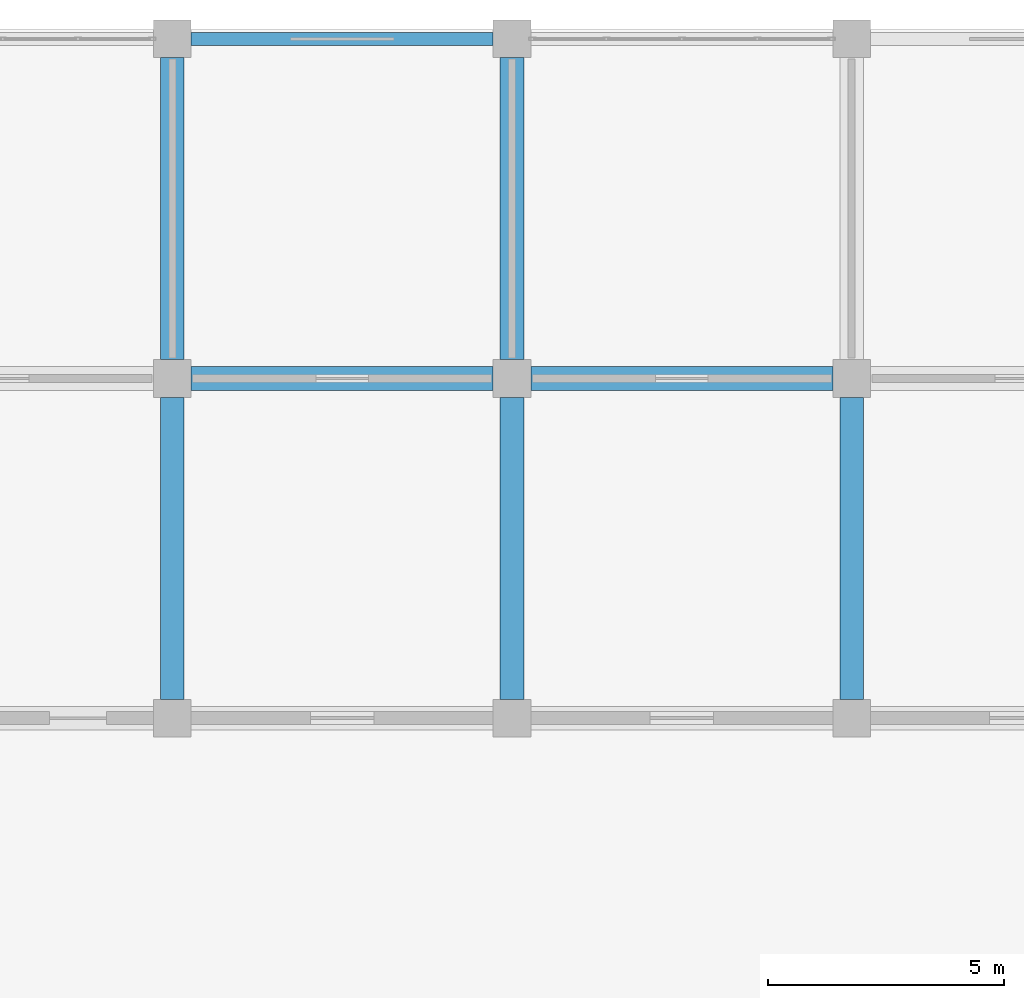
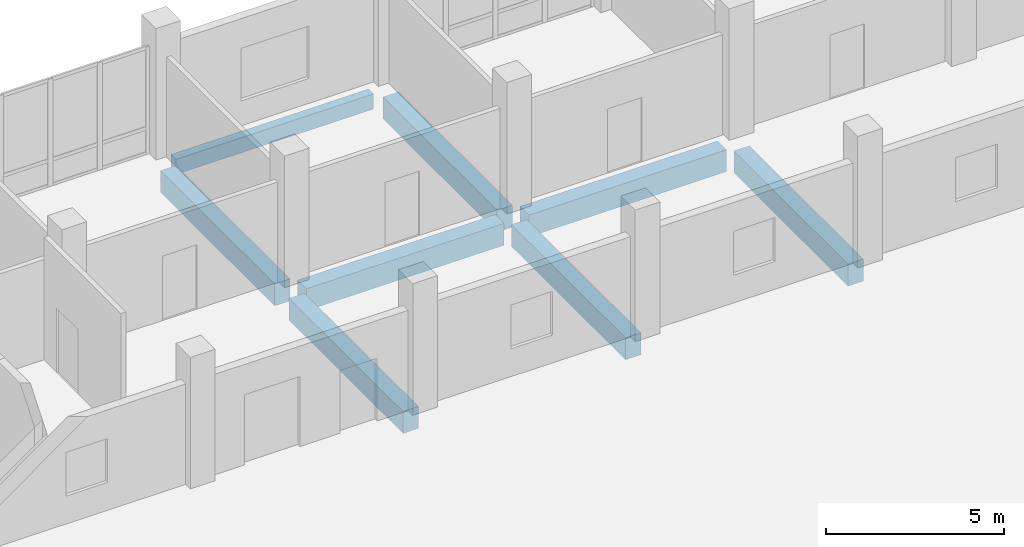
# One storey, part 61 of 139: 8 beams.
"""IFC4 building model written with IfcOpenShell, lengths in metres."""

from ifc_helpers import new_model, si_unit, direction, frame, origin, origin_2d, place, context, subcontext, project, spatial, rectangle, extrude, material, material_profile, profile_set, type_object, element, save


model = new_model("IFC4")

# Units and contexts
model_context = context("Model", 3, precision=1e-05, world=origin(), true_north=direction((0.0, 1.0)))
body_context = subcontext(model_context, "Body", "Model", "MODEL_VIEW")
ifc_project = project(units=[si_unit("LENGTHUNIT", "METRE"), si_unit("AREAUNIT", "SQUARE_METRE"), si_unit("VOLUMEUNIT", "CUBIC_METRE"), si_unit("PLANEANGLEUNIT", "RADIAN"), si_unit("MASSUNIT", "GRAM", prefix="KILO")], contexts=[model_context])

# Site, building, storey
site_placement = place(None, origin())
site = spatial("IfcSite", under=ifc_project, at=site_placement, CompositionType="ELEMENT")
building_placement = place(site_placement, origin())
building = spatial("IfcBuilding", under=site, at=building_placement, Name="Suanplinth Sawtooth Commons", CompositionType="ELEMENT")
storey_placement = place(building_placement, origin())
storey = spatial("IfcBuildingStorey", under=building, at=storey_placement, Name="L00", CompositionType="ELEMENT", Elevation=0.0)

# Beams
ifc_material_1 = material(Name="Concrete C40/50", Category="concrete")
ifc_material_profile_1 = material_profile(ifc_material_1, rectangle(XDim=0.5, YDim=0.75, at=origin_2d()), Name="RC-GDR 500x750")
ifc_profile_set_1 = profile_set([ifc_material_profile_1], Name="Concrete C40/50")
beam_type_1 = type_object("IfcBeamType", Name="B-03", PredefinedType="USERDEFINED", material=ifc_profile_set_1)
for number, where, z_axis, x_axis, name in (
    (1, (79.60009765625, 115.199951171875, -0.784912109375), (1.0, 0.0, 0.0), (0.0, 1.0, 0.0), "BMX-L00-A-11-16"),
    (2, (86.800048828125, 115.199951171875, -0.784912109375), (1.0, 0.0, 0.0), (0.0, 1.0, 0.0), "BMX-L00-A-12-16"),
):
    element("IfcBeam", number, at=place(storey_placement, frame(where, z_axis=z_axis, x_axis=x_axis)), inside=storey, type_object=beam_type_1, Name=name, ObjectType="GIRDER", PredefinedType="USERDEFINED", context=body_context, shape_type="SweptSolid", body=[
        extrude(rectangle(XDim=0.5, YDim=0.75, at=origin_2d()), origin(), (0.0, 0.0, 1.0), 6.39990234375),
    ])
beam_1_placement = place(storey_placement, frame((79.199951171875, 108.39990234375, -0.784912109375), z_axis=(0.0, 1.0, 0.0), x_axis=(-1.0, 0.0, 0.0)))
element("IfcBeam", 3, at=beam_1_placement, inside=storey, type_object=beam_type_1, Name="BMY-L00-A-11-15", ObjectType="GIRDER", PredefinedType="USERDEFINED", context=body_context, shape_type="SweptSolid", body=[
    extrude(rectangle(XDim=0.5, YDim=0.75, at=origin_2d()), origin(), (0.0, 0.0, 1.0), 6.400146484375),
])
beam_2_placement = place(storey_placement, frame((79.199951171875, 115.60009765625, -0.784912109375), z_axis=(0.0, 1.0, 0.0), x_axis=(-1.0, 0.0, 0.0)))
element("IfcBeam", 4, at=beam_2_placement, inside=storey, type_object=beam_type_1, Name="BMY-L00-A-11-16", ObjectType="GIRDER", PredefinedType="USERDEFINED", context=body_context, shape_type="SweptSolid", body=[
    extrude(rectangle(XDim=0.5, YDim=0.75, at=origin_2d()), origin(), (0.0, 0.0, 1.0), 6.39990234375),
])
beam_3_placement = place(storey_placement, frame((86.39990234375, 108.39990234375, -0.784912109375), z_axis=(0.0, 1.0, 0.0), x_axis=(-1.0, 0.0, 0.0)))
element("IfcBeam", 5, at=beam_3_placement, inside=storey, type_object=beam_type_1, Name="BMY-L00-A-12-15", ObjectType="GIRDER", PredefinedType="USERDEFINED", context=body_context, shape_type="SweptSolid", body=[
    extrude(rectangle(XDim=0.5, YDim=0.75, at=origin_2d()), origin(), (0.0, 0.0, 1.0), 6.400146484375),
])
beam_4_placement = place(storey_placement, frame((86.39990234375, 115.60009765625, -0.784912109375), z_axis=(0.0, 1.0, 0.0), x_axis=(-1.0, 0.0, 0.0)))
element("IfcBeam", 6, at=beam_4_placement, inside=storey, type_object=beam_type_1, Name="BMY-L00-A-12-16", ObjectType="GIRDER", PredefinedType="USERDEFINED", context=body_context, shape_type="SweptSolid", body=[
    extrude(rectangle(XDim=0.5, YDim=0.75, at=origin_2d()), origin(), (0.0, 0.0, 1.0), 6.39990234375),
])
beam_5_placement = place(storey_placement, frame((93.60009765625, 108.39990234375, -0.784912109375), z_axis=(0.0, 1.0, 0.0), x_axis=(-1.0, 0.0, 0.0)))
element("IfcBeam", 7, at=beam_5_placement, inside=storey, type_object=beam_type_1, Name="BMY-L00-A-13-15", ObjectType="GIRDER", PredefinedType="USERDEFINED", context=body_context, shape_type="SweptSolid", body=[
    extrude(rectangle(XDim=0.5, YDim=0.75, at=origin_2d()), origin(), (0.0, 0.0, 1.0), 6.400146484375),
])
ifc_material_2 = material(Name="Precast concrete C40/50", Category="concrete")
ifc_material_profile_2 = material_profile(ifc_material_2, rectangle(XDim=0.280029296875, YDim=0.52001953125, at=origin_2d()), Name="PC-SP 280x520")
ifc_profile_set_2 = profile_set([ifc_material_profile_2], Name="Precast concrete C40/50")
beam_type_2 = type_object("IfcBeamType", Name="B-08", PredefinedType="SPANDREL", material=ifc_profile_set_2)
beam_6_placement = place(storey_placement, frame((79.60009765625, 122.39990234375, -0.669921875), z_axis=(1.0, 0.0, 0.0), x_axis=(0.0, 1.0, 0.0)))
element("IfcBeam", 8, at=beam_6_placement, inside=storey, type_object=beam_type_2, Name="BMX-L00-A-11-17", PredefinedType="SPANDREL", context=body_context, shape_type="SweptSolid", body=[
    extrude(rectangle(XDim=0.280029296875, YDim=0.52001953125, at=origin_2d()), origin(), (0.0, 0.0, 1.0), 6.39990234375),
])

save(model, "model.ifc")
